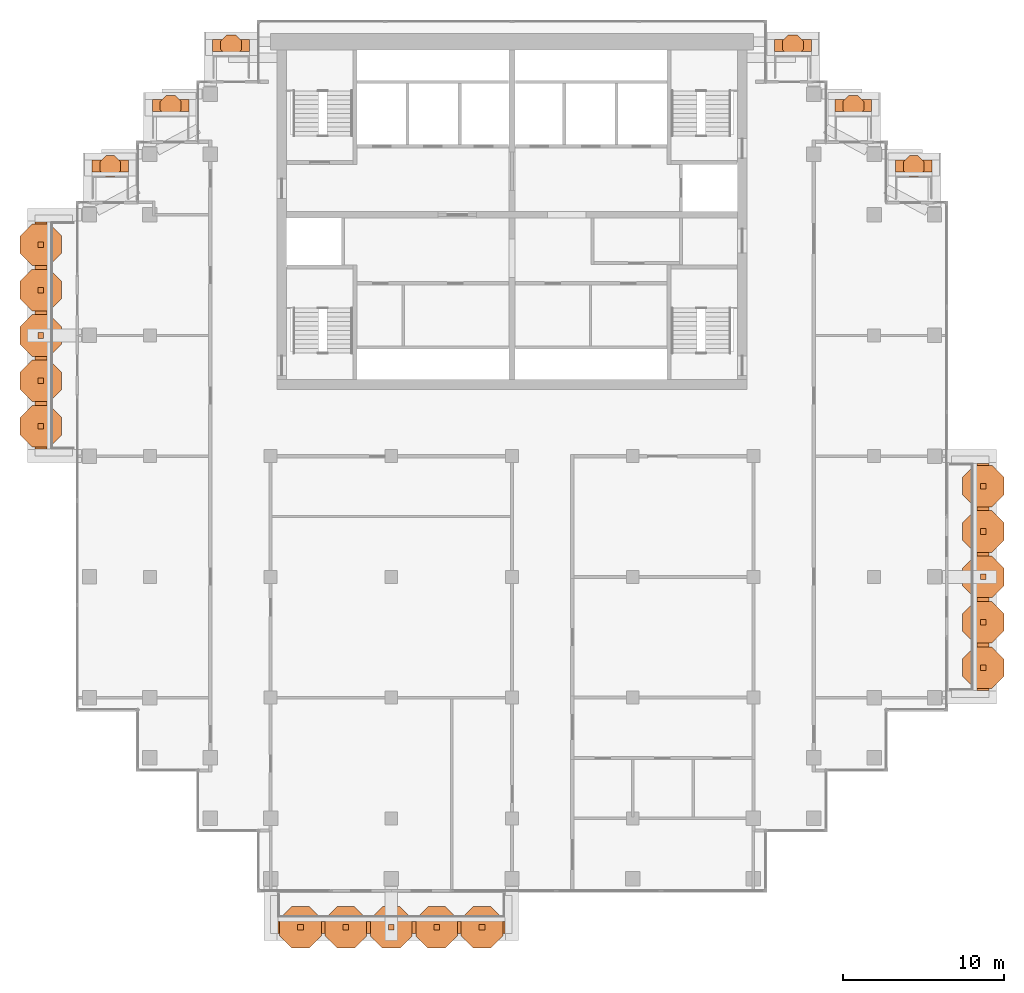
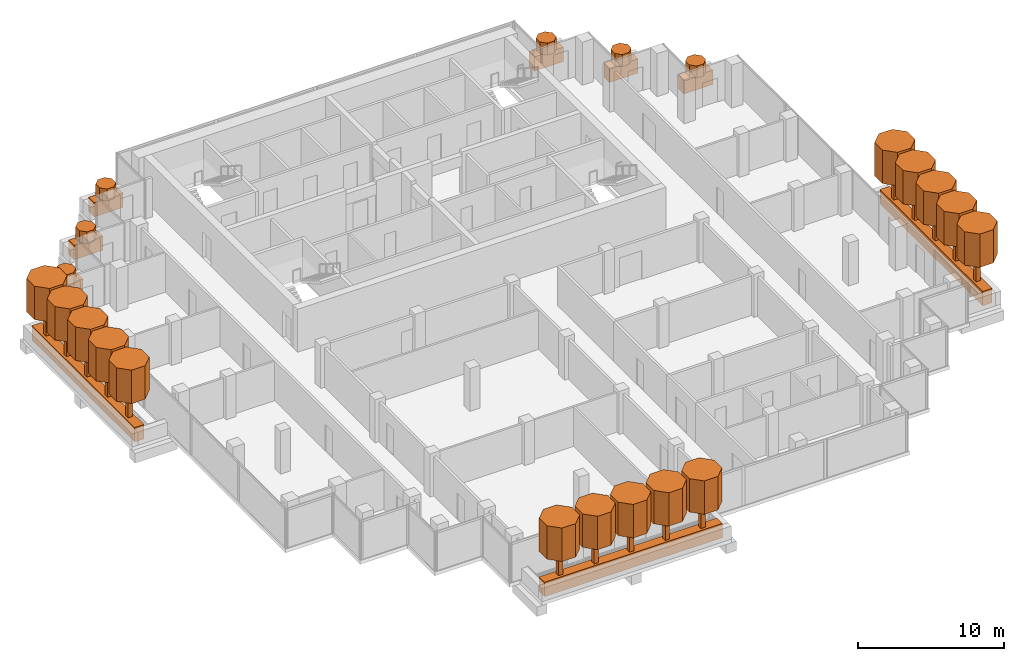
# One storey, part 18 of 18: 45 geographic elements.
"""IFC4 building model written with IfcOpenShell, lengths in metres."""

from ifc_helpers import new_model, si_unit, direction, frame, origin, origin_2d, place, context, subcontext, project, spatial, polyline, rectangle, outline, extrude, material, material_profile, profile_set, type_object, element, save


model = new_model("IFC4")

# Units and contexts
model_context = context("Model", 3, precision=1e-05, world=origin(), true_north=direction((0.0, 1.0)))
body_context = subcontext(model_context, "Body", "Model", "MODEL_VIEW")
ifc_project = project(units=[si_unit("LENGTHUNIT", "METRE"), si_unit("AREAUNIT", "SQUARE_METRE"), si_unit("VOLUMEUNIT", "CUBIC_METRE"), si_unit("PLANEANGLEUNIT", "RADIAN"), si_unit("MASSUNIT", "GRAM", prefix="KILO")], contexts=[model_context])

# Site, building, storey
site_placement = place(None, origin())
site = spatial("IfcSite", under=ifc_project, at=site_placement, CompositionType="ELEMENT")
building_placement = place(site_placement, origin())
building = spatial("IfcBuilding", under=site, at=building_placement, Name="Pilkhan Gate Tower", CompositionType="ELEMENT")
storey_placement = place(building_placement, frame((0.0, 0.0, 228.300048828125)))
storey = spatial("IfcBuildingStorey", under=building, at=storey_placement, Name="L59", CompositionType="ELEMENT", Elevation=228.300048828125)

# Geographic elements
ifc_material_1 = material(Name="Foliage")
ifc_material_profile_1 = material_profile(ifc_material_1, rectangle(XDim=0.75, YDim=1.199951171875, at=origin_2d()), Name="Bed 750x1200")
ifc_profile_set_1 = profile_set([ifc_material_profile_1], Name="Foliage")
geographic_element_type_1 = type_object("IfcGeographicElementType", Name="Planting bed PB1", PredefinedType="USERDEFINED", material=ifc_profile_set_1)
for number, where, z_axis, x_axis, name in (
    (1, (60.449951171875, 38.22509765625, 0.599853515625), (1.0, 0.0, 0.0), (0.0, 1.0, 0.0), "Balcony L59 S planting bed"),
    (2, (104.27490234375, 52.949951171875, 0.599853515625), (0.0, 1.0, 0.0), (-1.0, 0.0, 0.0), "Balcony L59 E planting bed"),
):
    element("IfcGeographicElement", number, at=place(storey_placement, frame(where, z_axis=z_axis, x_axis=x_axis)), inside=storey, type_object=geographic_element_type_1, Name=name, ObjectType="PLANTING BED", PredefinedType="USERDEFINED", context=body_context, shape_type="SweptSolid", body=[
        extrude(rectangle(XDim=0.75, YDim=1.199951171875, at=origin_2d()), origin(), (0.0, 0.0, 1.0), 14.10009765625),
    ])
for number, where, z_axis, x_axis, name in (
    (3, (56.39990234375, 93.02490234375, 0.599853515625), (1.0, 0.0, 0.0), (0.0, 1.0, 0.0), "Balcony L59 N planting bed"),
    (4, (91.300048828125, 93.02490234375, 0.599853515625), (1.0, 0.0, 0.0), (0.0, 1.0, 0.0), "Balcony L59 N planting bed"),
):
    element("IfcGeographicElement", number, at=place(storey_placement, frame(where, z_axis=z_axis, x_axis=x_axis)), inside=storey, type_object=geographic_element_type_1, Name=name, ObjectType="PLANTING BED", PredefinedType="USERDEFINED", context=body_context, shape_type="SweptSolid", body=[
        extrude(rectangle(XDim=0.75, YDim=1.199951171875, at=origin_2d()), origin(), (0.0, 0.0, 1.0), 2.300048828125),
    ])
for number, where, z_axis, x_axis, name in (
    (5, (52.64990234375, 89.27490234375, 0.599853515625), (1.0, 0.0, 0.0), (0.0, 1.0, 0.0), "Balcony L59 N planting bed"),
    (6, (48.89990234375, 85.52490234375, 0.599853515625), (1.0, 0.0, 0.0), (0.0, 1.0, 0.0), "Balcony L59 N planting bed"),
    (7, (95.070068359375, 89.27490234375, 0.599853515625), (1.0, 0.0, 0.0), (0.0, 1.0, 0.0), "Balcony L59 N planting bed"),
    (8, (98.820068359375, 85.52490234375, 0.599853515625), (1.0, 0.0, 0.0), (0.0, 1.0, 0.0), "Balcony L59 N planting bed"),
):
    element("IfcGeographicElement", number, at=place(storey_placement, frame(where, z_axis=z_axis, x_axis=x_axis)), inside=storey, type_object=geographic_element_type_1, Name=name, ObjectType="PLANTING BED", PredefinedType="USERDEFINED", context=body_context, shape_type="SweptSolid", body=[
        extrude(rectangle(XDim=0.75, YDim=1.199951171875, at=origin_2d()), origin(), (0.0, 0.0, 1.0), 2.280029296875),
    ])
geographic_element_placement = place(storey_placement, frame((45.72509765625, 67.949951171875, 0.599853515625), z_axis=(0.0, 1.0, 0.0), x_axis=(-1.0, 0.0, 0.0)))
element("IfcGeographicElement", 9, at=geographic_element_placement, inside=storey, type_object=geographic_element_type_1, Name="Balcony L59 W planting bed", ObjectType="PLANTING BED", PredefinedType="USERDEFINED", context=body_context, shape_type="SweptSolid", body=[
    extrude(rectangle(XDim=0.75, YDim=1.199951171875, at=origin_2d()), origin(), (0.0, 0.0, 1.0), 14.10009765625),
])
ifc_material_profile_2 = material_profile(ifc_material_1, outline(polyline([(0.646728515625, 0.267822265625), (0.267822265625, 0.646728515625), (-0.267822265625, 0.646728515625), (-0.646728515625, 0.267822265625), (-0.646728515625, -0.267822265625), (-0.267822265625, -0.646728515625), (0.267822265625, -0.646728515625), (0.646728515625, -0.267822265625), (0.646728515625, 0.267822265625)])), Name="Shrub D1.4")
ifc_profile_set_2 = profile_set([ifc_material_profile_2], Name="Foliage")
geographic_element_type_2 = type_object("IfcGeographicElementType", Name="Shrub SH07", PredefinedType="USERDEFINED", material=ifc_profile_set_2)
for number, where, z_axis, x_axis, name in (
    (10, (57.550048828125, 93.02490234375, 1.199951171875), (0.0, 0.0, 1.0), (1.0, 0.0, 0.0), "Shrub L59 N 1"),
    (11, (92.449951171875, 93.02490234375, 1.199951171875), (0.0, 0.0, 1.0), (1.0, 0.0, 0.0), "Shrub L59 N 1"),
    (12, (53.7900390625, 89.27490234375, 1.199951171875), (0.0, 0.0, 1.0), (1.0, 0.0, 0.0), "Shrub L59 N 1"),
    (13, (50.0400390625, 85.52490234375, 1.199951171875), (0.0, 0.0, 1.0), (1.0, 0.0, 0.0), "Shrub L59 N 1"),
    (14, (96.2099609375, 89.27490234375, 1.199951171875), (0.0, 0.0, 1.0), (1.0, 0.0, 0.0), "Shrub L59 N 1"),
    (15, (99.9599609375, 85.52490234375, 1.199951171875), (0.0, 0.0, 1.0), (1.0, 0.0, 0.0), "Shrub L59 N 1"),
):
    element("IfcGeographicElement", number, at=place(storey_placement, frame(where, z_axis=z_axis, x_axis=x_axis)), inside=storey, type_object=geographic_element_type_2, Name=name, ObjectType="SHRUB", PredefinedType="USERDEFINED", context=body_context, shape_type="SweptSolid", body=[
        extrude(outline(polyline([(0.646728515625, 0.267822265625), (0.267822265625, 0.646728515625), (-0.267822265625, 0.646728515625), (-0.646728515625, 0.267822265625), (-0.646728515625, -0.267822265625), (-0.267822265625, -0.646728515625), (0.267822265625, -0.646728515625), (0.646728515625, -0.267822265625), (0.646728515625, 0.267822265625)])), origin(), (0.0, 0.0, 1.0), 1.0),
    ])
ifc_material_profile_3 = material_profile(ifc_material_1, outline(polyline([(1.29345703125, 0.535888671875), (0.535888671875, 1.29345703125), (-0.535888671875, 1.29345703125), (-1.29345703125, 0.535888671875), (-1.29345703125, -0.535888671875), (-0.535888671875, -1.29345703125), (0.535888671875, -1.29345703125), (1.29345703125, -0.535888671875), (1.29345703125, 0.535888671875)])), Name="Canopy D2.8")
ifc_profile_set_3 = profile_set([ifc_material_profile_3], Name="Foliage")
geographic_element_type_3 = type_object("IfcGeographicElementType", Name="Tree canopy TC14", PredefinedType="USERDEFINED", material=ifc_profile_set_3)
for number, where, z_axis, x_axis, name in (
    (16, (61.860107421875, 38.22509765625, 3.199951171875), (0.0, 0.0, 1.0), (1.0, 0.0, 0.0), "Tree L59 S 1 canopy"),
    (17, (64.679931640625, 38.22509765625, 3.199951171875), (0.0, 0.0, 1.0), (1.0, 0.0, 0.0), "Tree L59 S 2 canopy"),
    (18, (67.5, 38.22509765625, 3.199951171875), (0.0, 0.0, 1.0), (1.0, 0.0, 0.0), "Tree L59 S 3 canopy"),
    (19, (70.320068359375, 38.22509765625, 3.199951171875), (0.0, 0.0, 1.0), (1.0, 0.0, 0.0), "Tree L59 S 4 canopy"),
    (20, (73.139892578125, 38.22509765625, 3.199951171875), (0.0, 0.0, 1.0), (1.0, 0.0, 0.0), "Tree L59 S 5 canopy"),
    (21, (104.27490234375, 54.360107421875, 3.199951171875), (0.0, 0.0, 1.0), (1.0, 0.0, 0.0), "Tree L59 E 1 canopy"),
    (22, (104.27490234375, 57.179931640625, 3.199951171875), (0.0, 0.0, 1.0), (1.0, 0.0, 0.0), "Tree L59 E 2 canopy"),
    (23, (104.27490234375, 60.0, 3.199951171875), (0.0, 0.0, 1.0), (1.0, 0.0, 0.0), "Tree L59 E 3 canopy"),
    (24, (104.27490234375, 62.820068359375, 3.199951171875), (0.0, 0.0, 1.0), (1.0, 0.0, 0.0), "Tree L59 E 4 canopy"),
    (25, (104.27490234375, 65.639892578125, 3.199951171875), (0.0, 0.0, 1.0), (1.0, 0.0, 0.0), "Tree L59 E 5 canopy"),
    (26, (45.72509765625, 69.360107421875, 3.199951171875), (0.0, 0.0, 1.0), (1.0, 0.0, 0.0), "Tree L59 W 1 canopy"),
    (27, (45.72509765625, 72.179931640625, 3.199951171875), (0.0, 0.0, 1.0), (1.0, 0.0, 0.0), "Tree L59 W 2 canopy"),
    (28, (45.72509765625, 75.0, 3.199951171875), (0.0, 0.0, 1.0), (1.0, 0.0, 0.0), "Tree L59 W 3 canopy"),
    (29, (45.72509765625, 77.820068359375, 3.199951171875), (0.0, 0.0, 1.0), (1.0, 0.0, 0.0), "Tree L59 W 4 canopy"),
    (30, (45.72509765625, 80.639892578125, 3.199951171875), (0.0, 0.0, 1.0), (1.0, 0.0, 0.0), "Tree L59 W 5 canopy"),
):
    element("IfcGeographicElement", number, at=place(storey_placement, frame(where, z_axis=z_axis, x_axis=x_axis)), inside=storey, type_object=geographic_element_type_3, Name=name, ObjectType="TREE", PredefinedType="USERDEFINED", context=body_context, shape_type="SweptSolid", body=[
        extrude(outline(polyline([(1.29345703125, 0.535888671875), (0.535888671875, 1.29345703125), (-0.535888671875, 1.29345703125), (-1.29345703125, 0.535888671875), (-1.29345703125, -0.535888671875), (-0.535888671875, -1.29345703125), (0.535888671875, -1.29345703125), (1.29345703125, -0.535888671875), (1.29345703125, 0.535888671875)])), origin(), (0.0, 0.0, 1.0), 2.800048828125),
    ])
ifc_material_2 = material(Name="Timber trunk", Category="wood")
geographic_element_type_4 = type_object("IfcGeographicElementType", Name="Tree trunk TT1", PredefinedType="USERDEFINED", material=ifc_material_2)
for number, where, z_axis, x_axis, name in (
    (31, (61.860107421875, 38.22509765625, 1.199951171875), (0.0, 0.0, 1.0), (1.0, 0.0, 0.0), "Tree L59 S 1 trunk"),
    (32, (64.679931640625, 38.22509765625, 1.199951171875), (0.0, 0.0, 1.0), (1.0, 0.0, 0.0), "Tree L59 S 2 trunk"),
    (33, (67.5, 38.22509765625, 1.199951171875), (0.0, 0.0, 1.0), (1.0, 0.0, 0.0), "Tree L59 S 3 trunk"),
    (34, (70.320068359375, 38.22509765625, 1.199951171875), (0.0, 0.0, 1.0), (1.0, 0.0, 0.0), "Tree L59 S 4 trunk"),
    (35, (73.139892578125, 38.22509765625, 1.199951171875), (0.0, 0.0, 1.0), (1.0, 0.0, 0.0), "Tree L59 S 5 trunk"),
    (36, (104.27490234375, 54.360107421875, 1.199951171875), (0.0, 0.0, 1.0), (1.0, 0.0, 0.0), "Tree L59 E 1 trunk"),
    (37, (104.27490234375, 57.179931640625, 1.199951171875), (0.0, 0.0, 1.0), (1.0, 0.0, 0.0), "Tree L59 E 2 trunk"),
    (38, (104.27490234375, 60.0, 1.199951171875), (0.0, 0.0, 1.0), (1.0, 0.0, 0.0), "Tree L59 E 3 trunk"),
    (39, (104.27490234375, 62.820068359375, 1.199951171875), (0.0, 0.0, 1.0), (1.0, 0.0, 0.0), "Tree L59 E 4 trunk"),
    (40, (104.27490234375, 65.639892578125, 1.199951171875), (0.0, 0.0, 1.0), (1.0, 0.0, 0.0), "Tree L59 E 5 trunk"),
    (41, (45.72509765625, 69.360107421875, 1.199951171875), (0.0, 0.0, 1.0), (1.0, 0.0, 0.0), "Tree L59 W 1 trunk"),
    (42, (45.72509765625, 72.179931640625, 1.199951171875), (0.0, 0.0, 1.0), (1.0, 0.0, 0.0), "Tree L59 W 2 trunk"),
    (43, (45.72509765625, 75.0, 1.199951171875), (0.0, 0.0, 1.0), (1.0, 0.0, 0.0), "Tree L59 W 3 trunk"),
    (44, (45.72509765625, 77.820068359375, 1.199951171875), (0.0, 0.0, 1.0), (1.0, 0.0, 0.0), "Tree L59 W 4 trunk"),
    (45, (45.72509765625, 80.639892578125, 1.199951171875), (0.0, 0.0, 1.0), (1.0, 0.0, 0.0), "Tree L59 W 5 trunk"),
):
    element("IfcGeographicElement", number, at=place(storey_placement, frame(where, z_axis=z_axis, x_axis=x_axis)), inside=storey, type_object=geographic_element_type_4, Name=name, ObjectType="TREE", PredefinedType="USERDEFINED", context=body_context, shape_type="SweptSolid", body=[
        extrude(rectangle(XDim=0.35009765625, YDim=0.35009765625, at=origin_2d()), origin(), (0.0, 0.0, 1.0), 2.0),
    ])

save(model, "model.ifc")
